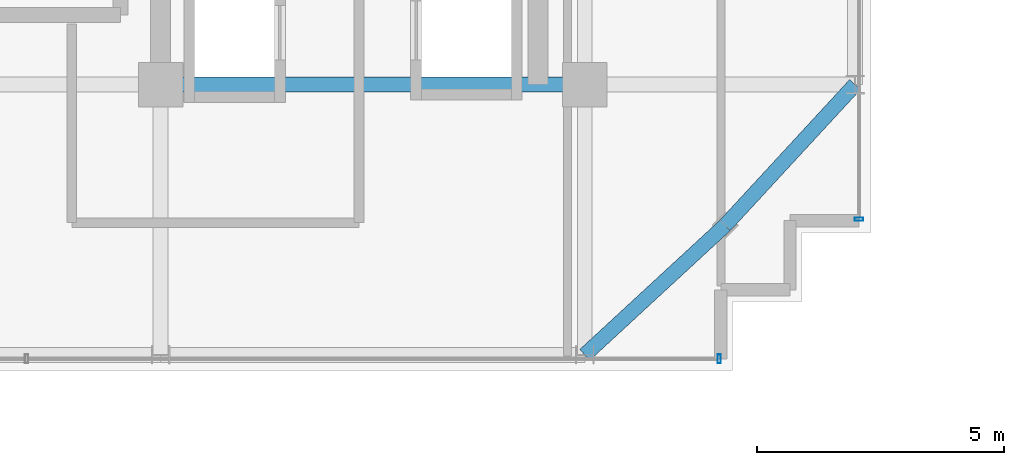
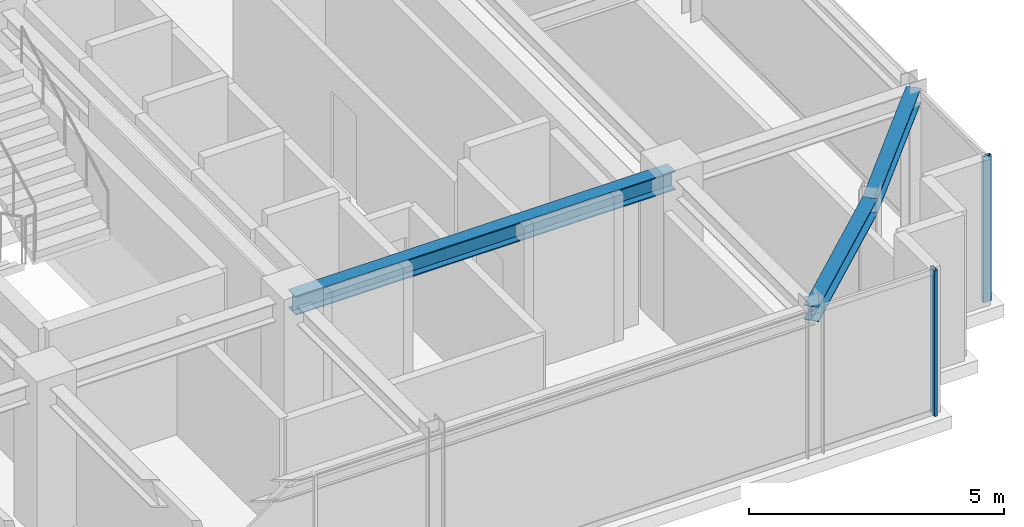
# One storey, part 11 of 32: 3 beams, 2 members, 2 elements without a shape of their own.
"""IFC4 building model written with IfcOpenShell, lengths in metres."""

from ifc_helpers import new_model, si_unit, direction, frame, origin, origin_2d, place, context, subcontext, project, spatial, hollow_rectangle, i_section, extrude, source, transform, mapped, material, material_profile, profile_set, type_object, element, aggregate, save


model = new_model("IFC4")

# Units and contexts
model_context = context("Model", 3, precision=1e-05, world=origin(), true_north=direction((0.0, 1.0)))
body_context = subcontext(model_context, "Body", "Model", "MODEL_VIEW")
ifc_project = project(units=[si_unit("LENGTHUNIT", "METRE"), si_unit("AREAUNIT", "SQUARE_METRE"), si_unit("VOLUMEUNIT", "CUBIC_METRE"), si_unit("PLANEANGLEUNIT", "RADIAN"), si_unit("MASSUNIT", "GRAM", prefix="KILO")], contexts=[model_context])

# Site, building, storey
site_placement = place(None, origin())
site = spatial("IfcSite", under=ifc_project, at=site_placement, CompositionType="ELEMENT")
building_placement = place(site_placement, origin())
building = spatial("IfcBuilding", under=site, at=building_placement, Name="Nahalor Promenade Grand Hotel", CompositionType="ELEMENT")
storey_placement = place(building_placement, frame((0.0, 0.0, 330.949951171875)))
storey = spatial("IfcBuildingStorey", under=building, at=storey_placement, Name="L85", CompositionType="ELEMENT", Elevation=330.949951171875)

# Beams
ifc_material_1 = material(Name="Steel S355JR", Category="steel")
ifc_material_profile_1 = material_profile(ifc_material_1, i_section(OverallWidth=0.3, OverallDepth=0.45, WebThickness=0.014, FlangeThickness=0.026, at=origin_2d()), Name="HEB 450")
ifc_profile_set_1 = profile_set([ifc_material_profile_1], Name="Steel S355JR")
beam_type_1 = type_object("IfcBeamType", Name="Beam-Girder-HEB450", PredefinedType="BEAM", material=ifc_profile_set_1)
shared_shape_1 = source(origin(), body_context, "Body", "SweptSolid", [
    extrude(i_section(OverallWidth=0.3, OverallDepth=0.45, WebThickness=0.014, FlangeThickness=0.026, at=origin_2d()), origin(), (0.0, 0.0, 1.0), 8.60009765625),
])
beam_placement = place(storey_placement, frame((8.39990234375, -17.0, 3.275146484375), z_axis=(1.0, 0.0, 0.0), x_axis=(0.0, 1.0, 0.0)))
element("IfcBeam", 1, at=beam_placement, inside=storey, type_object=beam_type_1, Name="BM-L85-GX-0-5", PredefinedType="BEAM", context=body_context, shape_type="MappedRepresentation", body=[
    mapped(shared_shape_1, transform((0.0, 0.0, 0.0), scale=1.0)),
])
ifc_material_profile_2 = material_profile(ifc_material_1, i_section(OverallWidth=0.3, OverallDepth=0.36, WebThickness=0.0125, FlangeThickness=0.0225, at=origin_2d()), Name="HEB 360")
ifc_profile_set_2 = profile_set([ifc_material_profile_2], Name="Steel S355JR")
beam_type_2 = type_object("IfcBeamType", Name="Beam-Spandrel-HEB360", PredefinedType="SPANDREL", material=ifc_profile_set_2)
shared_shape_2 = source(origin(), body_context, "Body", "SweptSolid", [
    extrude(i_section(OverallWidth=0.3, OverallDepth=0.36, WebThickness=0.0125, FlangeThickness=0.0225, at=origin_2d()), origin(), (0.0, 0.0, 1.0), 3.878173828125),
])
for number, where, z_axis, x_axis, name in (
    (2, (17.0, -22.47998046875, 3.320068359375), (0.73492893846, 0.678144125843, 0.0), (-0.678144125843, 0.73492893846, 0.0), "BM-L85-SPC-SE-1"),
    (3, (19.85009765625, -19.85009765625, 3.320068359375), (0.678144125843, 0.73492893846, 0.0), (-0.73492893846, 0.678144125843, 0.0), "BM-L85-SPC-SE-2"),
):
    element("IfcBeam", number, at=place(storey_placement, frame(where, z_axis=z_axis, x_axis=x_axis)), inside=storey, type_object=beam_type_2, Name=name, PredefinedType="SPANDREL", context=body_context, shape_type="MappedRepresentation", body=[
        mapped(shared_shape_2, transform((0.0, 0.0, 0.0), scale=1.0)),
    ])

# Curtain wall, member
ifc_material_2 = material(Name="Anodised Bronze Aluminium EN AW-6063 T6", Category="aluminium")
curtain_wall_type = type_object("IfcCurtainWallType", Name="CW2 Typical Hotel Flush Bronze Unitised Curtain Wall", PredefinedType="USERDEFINED", material=ifc_material_2)
curtain_wall_1_placement = place(storey_placement, origin())
curtain_wall_1 = element("IfcCurtainWall", 4, at=curtain_wall_1_placement, inside=storey, type_object=curtain_wall_type, Name="L85 Curtain Wall CW-L85-S-3", ObjectType="UNITISED_CURTAIN_WALL", PredefinedType="USERDEFINED")
ifc_material_profile_3 = material_profile(ifc_material_2, hollow_rectangle(XDim=0.065, YDim=0.18, WallThickness=0.004, at=origin_2d()), Name="CWM 65x180x4")
ifc_profile_set_3 = profile_set([ifc_material_profile_3], Name="Anodised Bronze Aluminium EN AW-6063 T6")
member_type = type_object("IfcMemberType", Name="CWM2 Typical Bronze Mullion 65x180", PredefinedType="MULLION", material=ifc_profile_set_3)
shared_shape_3 = source(origin(), body_context, "Body", "SweptSolid", [
    extrude(hollow_rectangle(XDim=0.065, YDim=0.18, WallThickness=0.004, at=origin_2d()), origin(), (0.0, 0.0, 1.0), 3.5),
])
member_1_placement = place(storey_placement, frame((19.7275390625, -22.56005859375, 0.0), z_axis=(0.0, 0.0, 1.0), x_axis=(1.0, 0.0, 0.0)))
member_1 = element("IfcMember", 5, at=member_1_placement, type_object=member_type, Name="CW-L85-S-3 Mullion 2", PredefinedType="MULLION", context=body_context, shape_type="MappedRepresentation", body=[
    mapped(shared_shape_3, transform((0.0, 0.0, 0.0), scale=1.0)),
])
aggregate(curtain_wall_1, [member_1])

curtain_wall_2_placement = place(storey_placement, origin())
curtain_wall_2 = element("IfcCurtainWall", 6, at=curtain_wall_2_placement, inside=storey, type_object=curtain_wall_type, Name="L85 Curtain Wall CW-L85-E-1", ObjectType="UNITISED_CURTAIN_WALL", PredefinedType="USERDEFINED")
member_2_placement = place(storey_placement, frame((22.56005859375, -19.7275390625, 0.0), z_axis=(0.0, 0.0, 1.0), x_axis=(0.0, 1.0, 0.0)))
member_2 = element("IfcMember", 7, at=member_2_placement, type_object=member_type, Name="CW-L85-E-1 Mullion 0", PredefinedType="MULLION", context=body_context, shape_type="MappedRepresentation", body=[
    mapped(shared_shape_3, transform((0.0, 0.0, 0.0), scale=1.0)),
])
aggregate(curtain_wall_2, [member_2])

save(model, "model.ifc")
